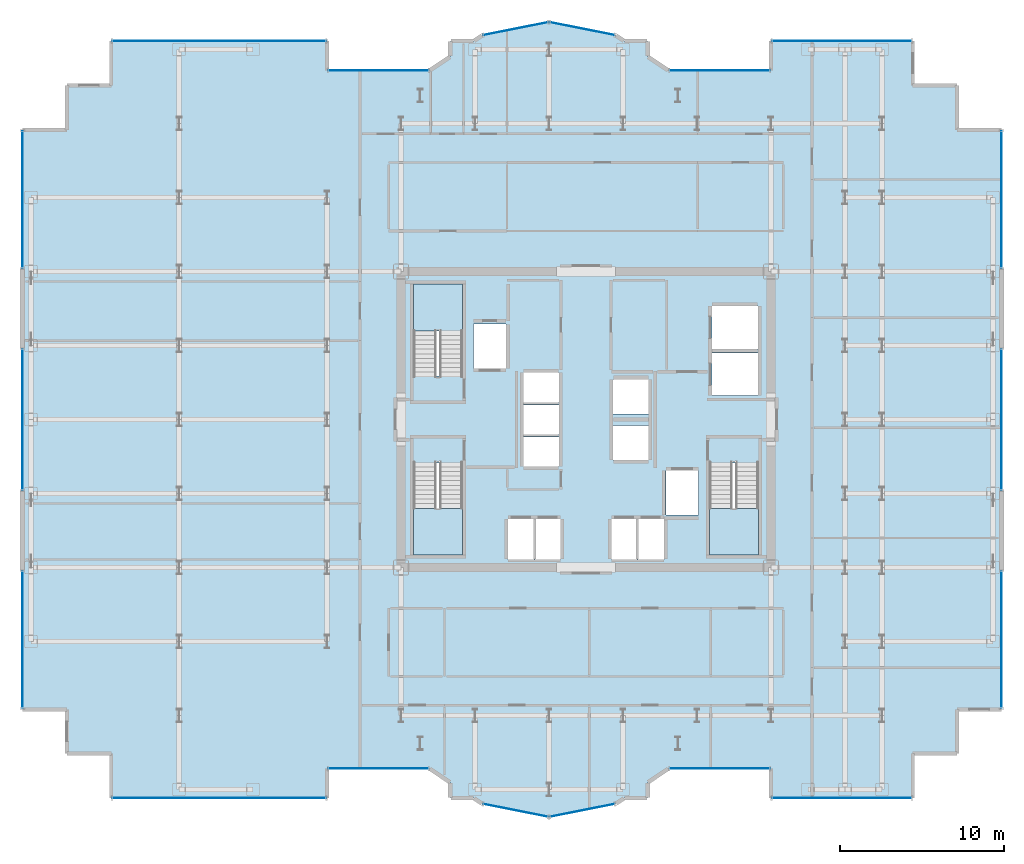
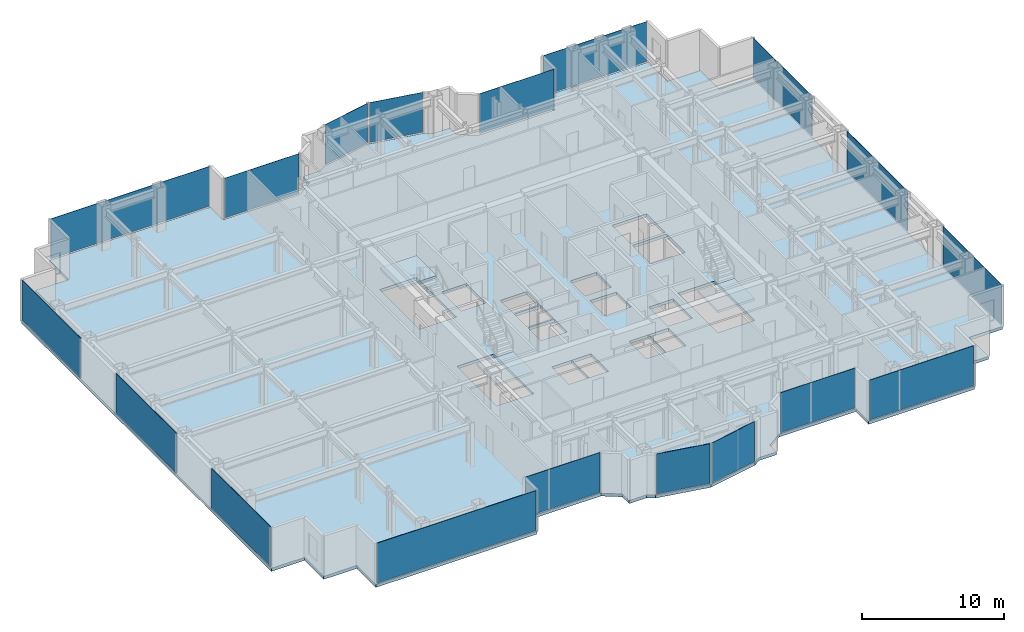
# One storey, part 19 of 26: 18 plates, 4 slabs, 21 elements without a shape of their own.
"""IFC4 building model written with IfcOpenShell, lengths in metres."""

import ifcopenshell
import ifcopenshell.guid

model = None  # the IFC model being written
_history = None  # IfcOwnerHistory: only IFC2X3 demands one
_inside = {}  # id of a spatial element -> (the spatial element, [elements in it])
_under = {}  # id of a project, library or spatial element -> (it, [spatial elements below it])
_declared = {}  # id of a project -> (the project, [libraries it declares])
_typed = {}  # id of a type object -> (the type object, [elements of that type])
_made_of = {}  # id of a material, layer set ... -> (it, [elements and type objects made of it])


def new_model(schema):
    """Start an empty IFC model of exactly this schema.

    Asked for "IFC4X3", IfcOpenShell would pick the latest addendum, in which some entities
    have other attributes; the version numbers below select the first issue.
    IFC2X3 requires an IfcOwnerHistory on every rooted entity: one is made here for all.
    """
    global model, _history
    if schema == "IFC4X3":
        model = ifcopenshell.file(schema_version=(4, 3, 0, 0))
    else:
        model = ifcopenshell.file(schema=schema)
    _inside.clear()
    _under.clear()
    _declared.clear()
    _typed.clear()
    _made_of.clear()
    _history = None
    if model.schema == "IFC2X3":
        org = make("IfcOrganization", Name="unknown")
        user = make(
            "IfcPersonAndOrganization",
            ThePerson=make("IfcPerson", FamilyName="unknown"),
            TheOrganization=org,
        )
        app = make(
            "IfcApplication",
            ApplicationDeveloper=org,
            Version="unknown",
            ApplicationFullName="unknown",
            ApplicationIdentifier="unknown",
        )
        _history = make(
            "IfcOwnerHistory",
            OwningUser=user,
            OwningApplication=app,
            ChangeAction="ADDED",
            CreationDate=0,
        )
    return model


def make(cls, **values):
    """One entity of the class cls with the attributes given. An attribute that is None is left unset."""
    return model.create_entity(
        cls, **{name: value for name, value in values.items() if value is not None}
    )


def rooted(cls, **values):
    """An entity with a GlobalId (a new one), such as an element, a storey or a relation."""
    return make(cls, GlobalId=ifcopenshell.guid.new(), OwnerHistory=_history, **values)


def si_unit(unit_type, name, prefix=None):
    """IfcSIUnit, for example si_unit("LENGTHUNIT", "METRE", prefix="MILLI")."""
    return make("IfcSIUnit", UnitType=unit_type, Prefix=prefix, Name=name)


def assignment(units):
    """IfcUnitAssignment: the units of a project."""
    return None if units is None else make("IfcUnitAssignment", Units=units)


def point(xyz):
    """IfcCartesianPoint."""
    return None if xyz is None else make("IfcCartesianPoint", Coordinates=xyz)


def direction(xyz):
    """IfcDirection."""
    return None if xyz is None else make("IfcDirection", DirectionRatios=xyz)


def frame(location, z_axis=None, x_axis=None):
    """IfcAxis2Placement3D, a coordinate frame: its origin and axes. An axis left out is left unset."""
    return make(
        "IfcAxis2Placement3D",
        Location=point(location),
        Axis=direction(z_axis),
        RefDirection=direction(x_axis),
    )


def frame_2d(location, x_axis=None):
    """IfcAxis2Placement2D, a coordinate frame in the plane: its origin and x axis."""
    return make(
        "IfcAxis2Placement2D", Location=point(location), RefDirection=direction(x_axis)
    )


def origin():
    """The frame at (0, 0, 0) with its axes left unset."""
    return frame((0.0, 0.0, 0.0))


def origin_2d():
    """The frame at (0, 0) in the plane with its x axis left unset."""
    return frame_2d((0.0, 0.0))


def place(relative_to, where):
    """IfcLocalPlacement: puts the frame where relative to a parent placement (None: the world)."""
    return make(
        "IfcLocalPlacement", PlacementRelTo=relative_to, RelativePlacement=where
    )


def context(
    kind, dimensions, precision=None, world=None, true_north=None, identifier=None
):
    """IfcGeometricRepresentationContext, for example the 3D "Model" context."""
    return make(
        "IfcGeometricRepresentationContext",
        ContextIdentifier=identifier,
        ContextType=kind,
        CoordinateSpaceDimension=dimensions,
        Precision=precision,
        WorldCoordinateSystem=world,
        TrueNorth=true_north,
    )


def subcontext(parent, identifier, kind, view, scale=None):
    """IfcGeometricRepresentationSubContext, for example "Body" below "Model"."""
    return make(
        "IfcGeometricRepresentationSubContext",
        ContextIdentifier=identifier,
        ContextType=kind,
        ParentContext=parent,
        TargetScale=scale,
        TargetView=view,
    )


def project(units=None, contexts=None):
    """IfcProject with its units and contexts."""
    return rooted(
        "IfcProject",
        Name="project",
        RepresentationContexts=contexts,
        UnitsInContext=assignment(units),
    )


def spatial(cls, under=None, at=None, **own):
    """A site, building, storey or space (cls), placed at a placement, below another one or the project."""
    s = rooted(cls, ObjectPlacement=at, **own)
    if under is not None:
        _under.setdefault(under.id(), (under, []))[1].append(s)
    return s


def polyline(points):
    """IfcPolyline through the points."""
    return make("IfcPolyline", Points=[point(p) for p in points])


def profile(cls, at=None, kind="AREA", **sizes):
    """A parametric profile (cls). Its sizes go by their IFC names, for example OverallWidth=200.0."""
    return make(cls, ProfileType=kind, Position=at, **sizes)


def rectangle(**sizes):
    """IfcRectangleProfileDef."""
    return profile("IfcRectangleProfileDef", **sizes)


def outline(outer, holes=None, kind="AREA"):
    """IfcArbitraryClosedProfileDef: a profile drawn as a closed curve; with holes, ...WithVoids."""
    if holes is None:
        return make("IfcArbitraryClosedProfileDef", ProfileType=kind, OuterCurve=outer)
    return make(
        "IfcArbitraryProfileDefWithVoids",
        ProfileType=kind,
        OuterCurve=outer,
        InnerCurves=holes,
    )


def extrude(swept, where, along, depth):
    """IfcExtrudedAreaSolid: the profile swept, set in the frame where, extruded along a direction by depth."""
    return make(
        "IfcExtrudedAreaSolid",
        SweptArea=swept,
        Position=where,
        ExtrudedDirection=direction(along),
        Depth=depth,
    )


def shape(context_of_items, identifier, shape_type, items):
    """IfcShapeRepresentation: the items that make up one representation, for example the "Body"."""
    return make(
        "IfcShapeRepresentation",
        ContextOfItems=context_of_items,
        RepresentationIdentifier=identifier,
        RepresentationType=shape_type,
        Items=items,
    )


def source(mapping_origin, context_of_items, identifier, shape_type, items):
    """IfcRepresentationMap: a shape defined once, which mapped items show again and again."""
    return make(
        "IfcRepresentationMap",
        MappingOrigin=mapping_origin,
        MappedRepresentation=shape(context_of_items, identifier, shape_type, items),
    )


def transform(
    local_origin,
    x_axis=None,
    y_axis=None,
    z_axis=None,
    scale=None,
    scale2=None,
    scale3=None,
    uniform=True,
):
    """IfcCartesianTransformationOperator3D, or its non-uniform kind. x_axis, y_axis, z_axis: its Axis1, 2, 3."""
    if uniform:
        return make(
            "IfcCartesianTransformationOperator3D",
            Axis1=direction(x_axis),
            Axis2=direction(y_axis),
            LocalOrigin=point(local_origin),
            Scale=scale,
            Axis3=direction(z_axis),
        )
    return make(
        "IfcCartesianTransformationOperator3DnonUniform",
        Axis1=direction(x_axis),
        Axis2=direction(y_axis),
        LocalOrigin=point(local_origin),
        Scale=scale,
        Axis3=direction(z_axis),
        Scale2=scale2,
        Scale3=scale3,
    )


def mapped(mapping_source, mapping_target):
    """IfcMappedItem: shows the shape of a source again, moved by a transform."""
    return make(
        "IfcMappedItem", MappingSource=mapping_source, MappingTarget=mapping_target
    )


def material(Name=None, Category=None):
    """IfcMaterial."""
    return make("IfcMaterial", Name=Name, Category=Category)


def layer(
    of_material, thickness, ventilated=None, Name=None, Category=None, Priority=None
):
    """IfcMaterialLayer: one layer of a wall or slab, of a material (None: an air gap)."""
    return make(
        "IfcMaterialLayer",
        Material=of_material,
        LayerThickness=thickness,
        IsVentilated=ventilated,
        Name=Name,
        Category=Category,
        Priority=Priority,
    )


def layer_set(layers, Name=None):
    """IfcMaterialLayerSet."""
    return make("IfcMaterialLayerSet", MaterialLayers=layers, LayerSetName=Name)


def made_of(thing, what):
    """Note that an element or type object is made of a material, layer set ...; save() writes the relation."""
    if what is not None:
        _made_of.setdefault(what.id(), (what, []))[1].append(thing)
    return thing


def type_object(cls, material=None, **own):
    """A type object (cls), such as IfcWallType, which elements share."""
    return made_of(rooted(cls, **own), material)


def element(
    cls,
    number,
    at=None,
    inside=None,
    cuts=None,
    type_object=None,
    material=None,
    context=None,
    identifier="Body",
    shape_type=None,
    held_by="IfcProductDefinitionShape",
    body=None,
    shapes=None,
    **own,
):
    """One element of the class cls, such as IfcWall. Its Tag is "e" and its number.

    at: its placement. inside: the storey or other place that contains it. cuts: it is an
    opening in that element (IfcRelVoidsElement). A single representation is given by context,
    identifier, shape_type and body (its items); several are given by shapes. held_by: the class
    of the entity that holds the representations. save() writes the other relations.
    """
    e = rooted(cls, Tag="e%d" % number, ObjectPlacement=at, **own)
    if body is not None:
        shapes = [shape(context, identifier, shape_type, body)]
    if shapes is not None:
        e.Representation = make(held_by, Representations=shapes)
    if inside is not None:
        _inside.setdefault(inside.id(), (inside, []))[1].append(e)
    if cuts is not None:
        rooted(
            "IfcRelVoidsElement", RelatingBuildingElement=cuts, RelatedOpeningElement=e
        )
    if type_object is not None:
        _typed.setdefault(type_object.id(), (type_object, []))[1].append(e)
    return made_of(e, material)


def aggregate(whole, parts):
    """IfcRelAggregates: a whole, such as a stair, and the parts it consists of."""
    return rooted("IfcRelAggregates", RelatingObject=whole, RelatedObjects=parts)


def save(model, path):
    """Write the relations noted so far, then the file.

    IfcRelAggregates (storeys below a building ...), IfcRelContainedInSpatialStructure (elements
    in a storey), IfcRelDefinesByType, IfcRelAssociatesMaterial and IfcRelDeclares: one each for
    every whole, place, type object, material and project.
    """
    for whole, parts in _under.values():
        aggregate(whole, parts)
    for where, things in _inside.values():
        rooted(
            "IfcRelContainedInSpatialStructure",
            RelatedElements=things,
            RelatingStructure=where,
        )
    for kind, things in _typed.values():
        rooted("IfcRelDefinesByType", RelatedObjects=things, RelatingType=kind)
    for what, things in _made_of.values():
        rooted("IfcRelAssociatesMaterial", RelatedObjects=things, RelatingMaterial=what)
    for by, libraries in _declared.values():
        rooted("IfcRelDeclares", RelatingContext=by, RelatedDefinitions=libraries)
    model.write(path)


model = new_model("IFC4")

# Units and contexts
model_context = context("Model", 3, precision=1e-05, world=origin(), true_north=direction((0.0, 1.0)))
body_context = subcontext(model_context, "Body", "Model", "MODEL_VIEW")
ifc_project = project(units=[si_unit("LENGTHUNIT", "METRE"), si_unit("AREAUNIT", "SQUARE_METRE"), si_unit("VOLUMEUNIT", "CUBIC_METRE"), si_unit("PLANEANGLEUNIT", "RADIAN"), si_unit("MASSUNIT", "GRAM", prefix="KILO")], contexts=[model_context])

# Site, building, storey
site_placement = place(None, origin())
site = spatial("IfcSite", under=ifc_project, at=site_placement, CompositionType="ELEMENT")
building_placement = place(site_placement, origin())
building = spatial("IfcBuilding", under=site, at=building_placement, Name="Nefas-Gora Pilgrimage Tower", CompositionType="ELEMENT")
storey_placement = place(building_placement, frame((0.0, 0.0, 160.199951171875)))
storey = spatial("IfcBuildingStorey", under=building, at=storey_placement, Name="L39", CompositionType="ELEMENT", Elevation=160.199951171875)

# Slab
ifc_material_1 = material(Name="Concrete C40/50", Category="concrete")
ifc_layer_1 = layer(ifc_material_1, 0.25)
ifc_layer_set_1 = layer_set([ifc_layer_1], Name="Concrete C40/50")
slab_type_1 = type_object("IfcSlabType", Name="SLB-TWR-250", PredefinedType="FLOOR", material=ifc_layer_set_1)
slab_1_placement = place(storey_placement, frame((0.0, 0.0, -0.25)))
element("IfcSlab", 1, at=slab_1_placement, inside=storey, type_object=slab_type_1, Name="L39 Structural Floor Slab", PredefinedType="FLOOR", context=body_context, shape_type="SweptSolid", body=[
    extrude(outline(polyline([(5.01806640625, -21.219970703125), (11.25, -21.219970703125), (11.25, -23.02001953125), (19.8701171875, -23.02001953125), (19.8701171875, -20.320068359375), (22.570068359375, -20.320068359375), (22.570068359375, -17.6201171875), (25.27001953125, -17.6201171875), (25.27001953125, 17.6201171875), (22.570068359375, 17.6201171875), (22.570068359375, 20.320068359375), (19.8701171875, 20.320068359375), (19.8701171875, 23.02001953125), (11.25, 23.02001953125), (11.25, 21.219970703125), (5.01806640625, 21.219970703125), (3.75, 22.0673828125), (3.75, 23.02001953125), (2.32421875, 23.02001953125), (1.807373046875, 23.365234375), (-2.25, 24.17236328125), (-6.307373046875, 23.365234375), (-6.82421875, 23.02001953125), (-8.25, 23.02001953125), (-8.25, 22.0673828125), (-9.51806640625, 21.219970703125), (-15.75, 21.219970703125), (-15.75, 23.02001953125), (-28.8701171875, 23.02001953125), (-28.8701171875, 20.320068359375), (-31.570068359375, 20.320068359375), (-31.570068359375, 17.6201171875), (-34.27001953125, 17.6201171875), (-34.27001953125, -17.6201171875), (-31.570068359375, -17.6201171875), (-31.570068359375, -20.320068359375), (-28.8701171875, -20.320068359375), (-28.8701171875, -23.02001953125), (-15.75, -23.02001953125), (-15.75, -21.219970703125), (-9.51806640625, -21.219970703125), (-8.25, -22.0673828125), (-8.25, -23.02001953125), (-6.82421875, -23.02001953125), (-6.307373046875, -23.365234375), (-2.25, -24.17236328125), (1.807373046875, -23.365234375), (2.32421875, -23.02001953125), (3.75, -23.02001953125), (3.75, -22.0673828125), (5.01806640625, -21.219970703125)]), holes=[polyline([(-10.5, 2.639892578125), (-10.5, 8.25), (-7.5, 8.25), (-7.5, 2.639892578125), (-10.5, 2.639892578125)]), polyline([(10.5, -2.639892578125), (10.5, -8.25), (7.5, -8.25), (7.5, -2.639892578125), (10.5, -2.639892578125)]), polyline([(-7.5, -2.639892578125), (-7.5, -8.25), (-10.5, -8.25), (-10.5, -2.639892578125), (-7.5, -2.639892578125)]), polyline([(-6.85009765625, 5.800048828125), (-4.85009765625, 5.800048828125), (-4.85009765625, 3.10009765625), (-6.85009765625, 3.10009765625), (-6.85009765625, 5.800048828125)]), polyline([(4.85009765625, -3.10009765625), (6.85009765625, -3.10009765625), (6.85009765625, -5.800048828125), (4.85009765625, -5.800048828125), (4.85009765625, -3.10009765625)]), polyline([(7.64990234375, 4.050048828125), (10.449951171875, 4.050048828125), (10.449951171875, 1.449951171875), (7.64990234375, 1.449951171875), (7.64990234375, 4.050048828125)]), polyline([(7.64990234375, 6.89990234375), (10.449951171875, 6.89990234375), (10.449951171875, 4.300048828125), (7.64990234375, 4.300048828125), (7.64990234375, 6.89990234375)]), polyline([(-4.75, -6.050048828125), (-3.14990234375, -6.050048828125), (-3.14990234375, -8.5), (-4.75, -8.5), (-4.75, -6.050048828125)]), polyline([(-3.10009765625, -6.050048828125), (-1.550048828125, -6.050048828125), (-1.550048828125, -8.5), (-3.10009765625, -8.5), (-3.10009765625, -6.050048828125)]), polyline([(1.550048828125, -6.050048828125), (3.10009765625, -6.050048828125), (3.10009765625, -8.5), (1.550048828125, -8.5), (1.550048828125, -6.050048828125)]), polyline([(3.14990234375, -6.050048828125), (4.75, -6.050048828125), (4.75, -8.5), (3.14990234375, -8.5), (3.14990234375, -6.050048828125)]), polyline([(-3.800048828125, -1.050048828125), (-1.64990234375, -1.050048828125), (-1.64990234375, -2.85009765625), (-3.800048828125, -2.85009765625), (-3.800048828125, -1.050048828125)]), polyline([(-3.800048828125, 0.89990234375), (-1.64990234375, 0.89990234375), (-1.64990234375, -0.89990234375), (-3.800048828125, -0.89990234375), (-3.800048828125, 0.89990234375)]), polyline([(-3.800048828125, 2.85009765625), (-1.64990234375, 2.85009765625), (-1.64990234375, 1.050048828125), (-3.800048828125, 1.050048828125), (-3.800048828125, 2.85009765625)]), polyline([(1.64990234375, -0.35009765625), (3.800048828125, -0.35009765625), (3.800048828125, -2.449951171875), (1.64990234375, -2.449951171875), (1.64990234375, -0.35009765625)]), polyline([(1.64990234375, 2.449951171875), (3.800048828125, 2.449951171875), (3.800048828125, 0.35009765625), (1.64990234375, 0.35009765625), (1.64990234375, 2.449951171875)])]), origin(), (0.0, 0.0, 1.0), 0.25),
])

# Stair, slab
ifc_material_2 = material(Name="Concrete C45/55", Category="concrete")
stair_type = type_object("IfcStairType", Name="STR-1400-R1727", PredefinedType="HALF_TURN_STAIR", material=ifc_material_2)
stair_1_placement = place(storey_placement, origin())
stair_1 = element("IfcStair", 2, at=stair_1_placement, inside=storey, type_object=stair_type, Name="L39 Pressurised Tower Exit Stair ST-01", PredefinedType="HALF_TURN_STAIR")
ifc_layer_2 = layer(ifc_material_1, 0.199951171875)
ifc_layer_set_2 = layer_set([ifc_layer_2], Name="Concrete C40/50")
slab_type_2 = type_object("IfcSlabType", Name="STR-LAND-200", PredefinedType="LANDING", material=ifc_layer_set_2)
slab_2_placement = place(storey_placement, frame((0.0, 0.0, 1.699951171875)))
slab_2 = element("IfcSlab", 3, at=slab_2_placement, type_object=slab_type_2, Name="ST-01 landing 1", PredefinedType="LANDING", context=body_context, shape_type="SweptSolid", body=[
    extrude(outline(polyline([(-7.5, 5.39990234375), (-7.5, 8.25), (-10.5, 8.25), (-10.5, 5.39990234375), (-7.5, 5.39990234375)])), origin(), (0.0, 0.0, 1.0), 0.2001953125),
])
aggregate(stair_1, [slab_2])

stair_2_placement = place(storey_placement, origin())
stair_2 = element("IfcStair", 4, at=stair_2_placement, inside=storey, type_object=stair_type, Name="L39 Pressurised Tower Exit Stair ST-02", PredefinedType="HALF_TURN_STAIR")
slab_3_placement = place(storey_placement, frame((0.0, 0.0, 1.699951171875)))
slab_3 = element("IfcSlab", 5, at=slab_3_placement, type_object=slab_type_2, Name="ST-02 landing 1", PredefinedType="LANDING", context=body_context, shape_type="SweptSolid", body=[
    extrude(outline(polyline([(7.5, -5.39990234375), (7.5, -8.25), (10.5, -8.25), (10.5, -5.39990234375), (7.5, -5.39990234375)])), origin(), (0.0, 0.0, 1.0), 0.2001953125),
])
aggregate(stair_2, [slab_3])

stair_3_placement = place(storey_placement, origin())
stair_3 = element("IfcStair", 6, at=stair_3_placement, inside=storey, type_object=stair_type, Name="L39 Pressurised Tower Exit Stair ST-03", PredefinedType="HALF_TURN_STAIR")
slab_4_placement = place(storey_placement, frame((0.0, 0.0, 1.699951171875)))
slab_4 = element("IfcSlab", 7, at=slab_4_placement, type_object=slab_type_2, Name="ST-03 landing 1", PredefinedType="LANDING", context=body_context, shape_type="SweptSolid", body=[
    extrude(outline(polyline([(-10.5, -5.39990234375), (-10.5, -8.25), (-7.5, -8.25), (-7.5, -5.39990234375), (-10.5, -5.39990234375)])), origin(), (0.0, 0.0, 1.0), 0.2001953125),
])
aggregate(stair_3, [slab_4])

# Curtain wall, plate
ifc_material_3 = material(Name="Dark ceramic-fritted solar-control aluminium-glass curtain wall", Category="aluminium")
ifc_layer_3 = layer(ifc_material_3, 0.219970703125)
ifc_layer_set_3 = layer_set([ifc_layer_3], Name="Dark ceramic-fritted solar-control aluminium-glass curtain wall")
curtain_wall_type_1 = type_object("IfcCurtainWallType", Name="CW-SYS-5", PredefinedType="NOTDEFINED", material=ifc_layer_set_3)
curtain_wall_1_placement = place(storey_placement, origin())
curtain_wall_1 = element("IfcCurtainWall", 8, at=curtain_wall_1_placement, inside=storey, type_object=curtain_wall_type_1, Name="L39 Unitised Curtain Wall CW5", PredefinedType="NOTDEFINED")
ifc_material_4 = material(Name="Dark ceramic-printed low-e insulated glass", Category="glass")
ifc_layer_4 = layer(ifc_material_4, 0.028076171875)
ifc_layer_set_4 = layer_set([ifc_layer_4], Name="Dark ceramic-printed low-e insulated glass")
plate_type_1 = type_object("IfcPlateType", Name="CWP-PNL-5", PredefinedType="CURTAIN_PANEL", material=ifc_layer_set_4)
shared_shape_1 = source(origin(), body_context, "Body", "SweptSolid", [
    extrude(rectangle(XDim=6.052001953125, YDim=0.028076171875, at=origin_2d()), origin(), (0.0, 0.0, 1.0), 3.43994140625),
])
plate_1_placement = place(storey_placement, frame((8.134033203125, -21.219970703125, 0.10009765625), z_axis=(0.0, 0.0, 1.0), x_axis=(1.0, 0.0, 0.0)))
plate_1 = element("IfcPlate", 9, at=plate_1_placement, type_object=plate_type_1, Name="CW5 Ceramic-Fritted Glazing Panel 1", PredefinedType="CURTAIN_PANEL", context=body_context, shape_type="MappedRepresentation", body=[
    mapped(shared_shape_1, transform((0.0, 0.0, 0.0), x_axis=(1.0, 0.0, 0.0), y_axis=(0.0, 1.0, 0.0), z_axis=(0.0, 0.0, 1.0), scale=1.0)),
])
aggregate(curtain_wall_1, [plate_1])

curtain_wall_2_placement = place(storey_placement, origin())
curtain_wall_2 = element("IfcCurtainWall", 10, at=curtain_wall_2_placement, inside=storey, type_object=curtain_wall_type_1, Name="L39 Unitised Curtain Wall CW5", PredefinedType="NOTDEFINED")
plate_2_placement = place(storey_placement, frame((8.134033203125, 21.219970703125, 0.10009765625), z_axis=(0.0, 0.0, 1.0), x_axis=(-1.0, 0.0, 0.0)))
plate_2 = element("IfcPlate", 11, at=plate_2_placement, type_object=plate_type_1, Name="CW5 Ceramic-Fritted Glazing Panel 1", PredefinedType="CURTAIN_PANEL", context=body_context, shape_type="MappedRepresentation", body=[
    mapped(shared_shape_1, transform((0.0, 0.0, 0.0), x_axis=(1.0, 0.0, 0.0), y_axis=(0.0, 1.0, 0.0), z_axis=(0.0, 0.0, 1.0), scale=1.0)),
])
aggregate(curtain_wall_2, [plate_2])

curtain_wall_3_placement = place(storey_placement, origin())
curtain_wall_3 = element("IfcCurtainWall", 12, at=curtain_wall_3_placement, inside=storey, type_object=curtain_wall_type_1, Name="L39 Unitised Curtain Wall CW5", PredefinedType="NOTDEFINED")
plate_3_placement = place(storey_placement, frame((-12.634033203125, 21.219970703125, 0.10009765625), z_axis=(0.0, 0.0, 1.0), x_axis=(-1.0, 0.0, 0.0)))
plate_3 = element("IfcPlate", 13, at=plate_3_placement, type_object=plate_type_1, Name="CW5 Ceramic-Fritted Glazing Panel 1", PredefinedType="CURTAIN_PANEL", context=body_context, shape_type="MappedRepresentation", body=[
    mapped(shared_shape_1, transform((0.0, 0.0, 0.0), x_axis=(1.0, 0.0, 0.0), y_axis=(0.0, 1.0, 0.0), z_axis=(0.0, 0.0, 1.0), scale=1.0)),
])
aggregate(curtain_wall_3, [plate_3])

curtain_wall_4_placement = place(storey_placement, origin())
curtain_wall_4 = element("IfcCurtainWall", 14, at=curtain_wall_4_placement, inside=storey, type_object=curtain_wall_type_1, Name="L39 Unitised Curtain Wall CW5", PredefinedType="NOTDEFINED")
plate_4_placement = place(storey_placement, frame((-12.634033203125, -21.219970703125, 0.10009765625), z_axis=(0.0, 0.0, 1.0), x_axis=(1.0, 0.0, 0.0)))
plate_4 = element("IfcPlate", 15, at=plate_4_placement, type_object=plate_type_1, Name="CW5 Ceramic-Fritted Glazing Panel 1", PredefinedType="CURTAIN_PANEL", context=body_context, shape_type="MappedRepresentation", body=[
    mapped(shared_shape_1, transform((0.0, 0.0, 0.0), x_axis=(1.0, 0.0, 0.0), y_axis=(0.0, 1.0, 0.0), z_axis=(0.0, 0.0, 1.0), scale=1.0)),
])
aggregate(curtain_wall_4, [plate_4])

curtain_wall_5_placement = place(storey_placement, origin())
curtain_wall_5 = element("IfcCurtainWall", 16, at=curtain_wall_5_placement, inside=storey, type_object=curtain_wall_type_1, Name="L39 Unitised Curtain Wall CW5", PredefinedType="NOTDEFINED")
shared_shape_2 = source(origin(), body_context, "Body", "SweptSolid", [
    extrude(rectangle(XDim=3.956787109375, YDim=0.028076171875, at=origin_2d()), origin(), (0.0, 0.0, 1.0), 3.43994140625),
])
plate_5_placement = place(storey_placement, frame((-0.22119140625, 23.768798828125, 0.10009765625), z_axis=(0.0, 0.0, 1.0), x_axis=(-0.980782896852, 0.195102304554, 0.0)))
plate_5 = element("IfcPlate", 17, at=plate_5_placement, type_object=plate_type_1, Name="CW5 Ceramic-Fritted Glazing Panel 1", PredefinedType="CURTAIN_PANEL", context=body_context, shape_type="MappedRepresentation", body=[
    mapped(shared_shape_2, transform((0.0, 0.0, 0.0), x_axis=(1.0, 0.0, 0.0), y_axis=(0.0, 1.0, 0.0), z_axis=(0.0, 0.0, 1.0), scale=1.0)),
])
aggregate(curtain_wall_5, [plate_5])

curtain_wall_6_placement = place(storey_placement, origin())
curtain_wall_6 = element("IfcCurtainWall", 18, at=curtain_wall_6_placement, inside=storey, type_object=curtain_wall_type_1, Name="L39 Unitised Curtain Wall CW5", PredefinedType="NOTDEFINED")
plate_6_placement = place(storey_placement, frame((-4.278564453125, 23.768798828125, 0.10009765625), z_axis=(0.0, 0.0, 1.0), x_axis=(-0.980782896852, -0.195102304554, 0.0)))
plate_6 = element("IfcPlate", 19, at=plate_6_placement, type_object=plate_type_1, Name="CW5 Ceramic-Fritted Glazing Panel 1", PredefinedType="CURTAIN_PANEL", context=body_context, shape_type="MappedRepresentation", body=[
    mapped(shared_shape_2, transform((0.0, 0.0, 0.0), x_axis=(1.0, 0.0, 0.0), y_axis=(0.0, 1.0, 0.0), z_axis=(0.0, 0.0, 1.0), scale=1.0)),
])
aggregate(curtain_wall_6, [plate_6])

curtain_wall_7_placement = place(storey_placement, origin())
curtain_wall_7 = element("IfcCurtainWall", 20, at=curtain_wall_7_placement, inside=storey, type_object=curtain_wall_type_1, Name="L39 Unitised Curtain Wall CW5", PredefinedType="NOTDEFINED")
plate_7_placement = place(storey_placement, frame((-4.278564453125, -23.768798828125, 0.10009765625), z_axis=(0.0, 0.0, 1.0), x_axis=(0.980782896852, -0.195102304554, 0.0)))
plate_7 = element("IfcPlate", 21, at=plate_7_placement, type_object=plate_type_1, Name="CW5 Ceramic-Fritted Glazing Panel 1", PredefinedType="CURTAIN_PANEL", context=body_context, shape_type="MappedRepresentation", body=[
    mapped(shared_shape_2, transform((0.0, 0.0, 0.0), x_axis=(1.0, 0.0, 0.0), y_axis=(0.0, 1.0, 0.0), z_axis=(0.0, 0.0, 1.0), scale=1.0)),
])
aggregate(curtain_wall_7, [plate_7])

curtain_wall_8_placement = place(storey_placement, origin())
curtain_wall_8 = element("IfcCurtainWall", 22, at=curtain_wall_8_placement, inside=storey, type_object=curtain_wall_type_1, Name="L39 Unitised Curtain Wall CW5", PredefinedType="NOTDEFINED")
plate_8_placement = place(storey_placement, frame((-0.221435546875, -23.768798828125, 0.10009765625), z_axis=(0.0, 0.0, 1.0), x_axis=(0.980782896852, 0.195102304554, 0.0)))
plate_8 = element("IfcPlate", 23, at=plate_8_placement, type_object=plate_type_1, Name="CW5 Ceramic-Fritted Glazing Panel 1", PredefinedType="CURTAIN_PANEL", context=body_context, shape_type="MappedRepresentation", body=[
    mapped(shared_shape_2, transform((0.0, 0.0, 0.0), x_axis=(1.0, 0.0, 0.0), y_axis=(0.0, 1.0, 0.0), z_axis=(0.0, 0.0, 1.0), scale=1.0)),
])
aggregate(curtain_wall_8, [plate_8])

ifc_layer_5 = layer(ifc_material_3, 0.219970703125)
ifc_layer_set_5 = layer_set([ifc_layer_5], Name="Dark ceramic-fritted solar-control aluminium-glass curtain wall")
curtain_wall_type_2 = type_object("IfcCurtainWallType", Name="CW-SYS-3", PredefinedType="NOTDEFINED", material=ifc_layer_set_5)
curtain_wall_9_placement = place(storey_placement, origin())
curtain_wall_9 = element("IfcCurtainWall", 24, at=curtain_wall_9_placement, inside=storey, type_object=curtain_wall_type_2, Name="L39 Unitised Curtain Wall CW3", PredefinedType="NOTDEFINED")
ifc_layer_6 = layer(ifc_material_4, 0.033935546875)
ifc_layer_set_6 = layer_set([ifc_layer_6], Name="Dark ceramic-printed low-e insulated glass")
plate_type_2 = type_object("IfcPlateType", Name="CWP-PNL-3", PredefinedType="CURTAIN_PANEL", material=ifc_layer_set_6)
shared_shape_3 = source(origin(), body_context, "Body", "SweptSolid", [
    extrude(rectangle(XDim=8.43994140625, YDim=0.033935546875, at=origin_2d()), origin(), (0.0, 0.0, 1.0), 3.43994140625),
])
plate_9_placement = place(storey_placement, frame((15.56005859375, -23.02001953125, 0.10009765625), z_axis=(0.0, 0.0, 1.0), x_axis=(1.0, 0.0, 0.0)))
plate_9 = element("IfcPlate", 25, at=plate_9_placement, type_object=plate_type_2, Name="CW3 Ceramic-Fritted Glazing Panel 1", PredefinedType="CURTAIN_PANEL", context=body_context, shape_type="MappedRepresentation", body=[
    mapped(shared_shape_3, transform((0.0, 0.0, 0.0), x_axis=(1.0, 0.0, 0.0), y_axis=(0.0, 1.0, 0.0), z_axis=(0.0, 0.0, 1.0), scale=1.0)),
])
aggregate(curtain_wall_9, [plate_9])

curtain_wall_10_placement = place(storey_placement, origin())
curtain_wall_10 = element("IfcCurtainWall", 26, at=curtain_wall_10_placement, inside=storey, type_object=curtain_wall_type_2, Name="L39 Unitised Curtain Wall CW3", PredefinedType="NOTDEFINED")
plate_10_placement = place(storey_placement, frame((15.56005859375, 23.02001953125, 0.10009765625), z_axis=(0.0, 0.0, 1.0), x_axis=(-1.0, 0.0, 0.0)))
plate_10 = element("IfcPlate", 27, at=plate_10_placement, type_object=plate_type_2, Name="CW3 Ceramic-Fritted Glazing Panel 1", PredefinedType="CURTAIN_PANEL", context=body_context, shape_type="MappedRepresentation", body=[
    mapped(shared_shape_3, transform((0.0, 0.0, 0.0), x_axis=(1.0, 0.0, 0.0), y_axis=(0.0, 1.0, 0.0), z_axis=(0.0, 0.0, 1.0), scale=1.0)),
])
aggregate(curtain_wall_10, [plate_10])

curtain_wall_11_placement = place(storey_placement, origin())
curtain_wall_11 = element("IfcCurtainWall", 28, at=curtain_wall_11_placement, inside=storey, type_object=curtain_wall_type_2, Name="L39 Unitised Curtain Wall CW3", PredefinedType="NOTDEFINED")
shared_shape_4 = source(origin(), body_context, "Body", "SweptSolid", [
    extrude(rectangle(XDim=8.2900390625, YDim=0.033935546875, at=origin_2d()), origin(), (0.0, 0.0, 1.0), 3.43994140625),
])
plate_11_placement = place(storey_placement, frame((25.27001953125, -13.385009765625, 0.10009765625), z_axis=(0.0, 0.0, 1.0), x_axis=(0.0, 1.0, 0.0)))
plate_11 = element("IfcPlate", 29, at=plate_11_placement, type_object=plate_type_2, Name="CW3 Ceramic-Fritted Glazing Panel 1", PredefinedType="CURTAIN_PANEL", context=body_context, shape_type="MappedRepresentation", body=[
    mapped(shared_shape_4, transform((0.0, 0.0, 0.0), x_axis=(1.0, 0.0, 0.0), y_axis=(0.0, 1.0, 0.0), z_axis=(0.0, 0.0, 1.0), scale=1.0)),
])
aggregate(curtain_wall_11, [plate_11])

curtain_wall_12_placement = place(storey_placement, origin())
curtain_wall_12 = element("IfcCurtainWall", 30, at=curtain_wall_12_placement, inside=storey, type_object=curtain_wall_type_2, Name="L39 Unitised Curtain Wall CW3", PredefinedType="NOTDEFINED")
plate_12_placement = place(storey_placement, frame((25.27001953125, 13.385009765625, 0.10009765625), z_axis=(0.0, 0.0, 1.0), x_axis=(0.0, 1.0, 0.0)))
plate_12 = element("IfcPlate", 31, at=plate_12_placement, type_object=plate_type_2, Name="CW3 Ceramic-Fritted Glazing Panel 1", PredefinedType="CURTAIN_PANEL", context=body_context, shape_type="MappedRepresentation", body=[
    mapped(shared_shape_4, transform((0.0, 0.0, 0.0), x_axis=(1.0, 0.0, 0.0), y_axis=(0.0, 1.0, 0.0), z_axis=(0.0, 0.0, 1.0), scale=1.0)),
])
aggregate(curtain_wall_12, [plate_12])

curtain_wall_13_placement = place(storey_placement, origin())
curtain_wall_13 = element("IfcCurtainWall", 32, at=curtain_wall_13_placement, inside=storey, type_object=curtain_wall_type_2, Name="L39 Unitised Curtain Wall CW3", PredefinedType="NOTDEFINED")
plate_13_placement = place(storey_placement, frame((-34.27001953125, 13.385009765625, 0.10009765625), z_axis=(0.0, 0.0, 1.0), x_axis=(0.0, -1.0, 0.0)))
plate_13 = element("IfcPlate", 33, at=plate_13_placement, type_object=plate_type_2, Name="CW3 Ceramic-Fritted Glazing Panel 1", PredefinedType="CURTAIN_PANEL", context=body_context, shape_type="MappedRepresentation", body=[
    mapped(shared_shape_4, transform((0.0, 0.0, 0.0), x_axis=(1.0, 0.0, 0.0), y_axis=(0.0, 1.0, 0.0), z_axis=(0.0, 0.0, 1.0), scale=1.0)),
])
aggregate(curtain_wall_13, [plate_13])

curtain_wall_14_placement = place(storey_placement, origin())
curtain_wall_14 = element("IfcCurtainWall", 34, at=curtain_wall_14_placement, inside=storey, type_object=curtain_wall_type_2, Name="L39 Unitised Curtain Wall CW3", PredefinedType="NOTDEFINED")
plate_14_placement = place(storey_placement, frame((-34.27001953125, -13.385009765625, 0.10009765625), z_axis=(0.0, 0.0, 1.0), x_axis=(0.0, -1.0, 0.0)))
plate_14 = element("IfcPlate", 35, at=plate_14_placement, type_object=plate_type_2, Name="CW3 Ceramic-Fritted Glazing Panel 1", PredefinedType="CURTAIN_PANEL", context=body_context, shape_type="MappedRepresentation", body=[
    mapped(shared_shape_4, transform((0.0, 0.0, 0.0), x_axis=(1.0, 0.0, 0.0), y_axis=(0.0, 1.0, 0.0), z_axis=(0.0, 0.0, 1.0), scale=1.0)),
])
aggregate(curtain_wall_14, [plate_14])

curtain_wall_15_placement = place(storey_placement, origin())
curtain_wall_15 = element("IfcCurtainWall", 36, at=curtain_wall_15_placement, inside=storey, type_object=curtain_wall_type_2, Name="L39 Unitised Curtain Wall CW3", PredefinedType="NOTDEFINED")
shared_shape_5 = source(origin(), body_context, "Body", "SweptSolid", [
    extrude(rectangle(XDim=8.52001953125, YDim=0.033935546875, at=origin_2d()), origin(), (0.0, 0.0, 1.0), 3.43994140625),
])
plate_15_placement = place(storey_placement, frame((25.27001953125, 0.0, 0.10009765625), z_axis=(0.0, 0.0, 1.0), x_axis=(0.0, 1.0, 0.0)))
plate_15 = element("IfcPlate", 37, at=plate_15_placement, type_object=plate_type_2, Name="CW3 Ceramic-Fritted Glazing Panel 1", PredefinedType="CURTAIN_PANEL", context=body_context, shape_type="MappedRepresentation", body=[
    mapped(shared_shape_5, transform((0.0, 0.0, 0.0), x_axis=(1.0, 0.0, 0.0), y_axis=(0.0, 1.0, 0.0), z_axis=(0.0, 0.0, 1.0), scale=1.0)),
])
aggregate(curtain_wall_15, [plate_15])

curtain_wall_16_placement = place(storey_placement, origin())
curtain_wall_16 = element("IfcCurtainWall", 38, at=curtain_wall_16_placement, inside=storey, type_object=curtain_wall_type_2, Name="L39 Unitised Curtain Wall CW3", PredefinedType="NOTDEFINED")
plate_16_placement = place(storey_placement, frame((-34.27001953125, 0.0, 0.10009765625), z_axis=(0.0, 0.0, 1.0), x_axis=(0.0, -1.0, 0.0)))
plate_16 = element("IfcPlate", 39, at=plate_16_placement, type_object=plate_type_2, Name="CW3 Ceramic-Fritted Glazing Panel 1", PredefinedType="CURTAIN_PANEL", context=body_context, shape_type="MappedRepresentation", body=[
    mapped(shared_shape_5, transform((0.0, 0.0, 0.0), x_axis=(1.0, 0.0, 0.0), y_axis=(0.0, 1.0, 0.0), z_axis=(0.0, 0.0, 1.0), scale=1.0)),
])
aggregate(curtain_wall_16, [plate_16])

curtain_wall_17_placement = place(storey_placement, origin())
curtain_wall_17 = element("IfcCurtainWall", 40, at=curtain_wall_17_placement, inside=storey, type_object=curtain_wall_type_2, Name="L39 Unitised Curtain Wall CW3", PredefinedType="NOTDEFINED")
shared_shape_6 = source(origin(), body_context, "Body", "SweptSolid", [
    extrude(rectangle(XDim=12.93994140625, YDim=0.033935546875, at=origin_2d()), origin(), (0.0, 0.0, 1.0), 3.43994140625),
])
plate_17_placement = place(storey_placement, frame((-22.31005859375, 23.02001953125, 0.10009765625), z_axis=(0.0, 0.0, 1.0), x_axis=(-1.0, 0.0, 0.0)))
plate_17 = element("IfcPlate", 41, at=plate_17_placement, type_object=plate_type_2, Name="CW3 Ceramic-Fritted Glazing Panel 1", PredefinedType="CURTAIN_PANEL", context=body_context, shape_type="MappedRepresentation", body=[
    mapped(shared_shape_6, transform((0.0, 0.0, 0.0), x_axis=(1.0, 0.0, 0.0), y_axis=(0.0, 1.0, 0.0), z_axis=(0.0, 0.0, 1.0), scale=1.0)),
])
aggregate(curtain_wall_17, [plate_17])

curtain_wall_18_placement = place(storey_placement, origin())
curtain_wall_18 = element("IfcCurtainWall", 42, at=curtain_wall_18_placement, inside=storey, type_object=curtain_wall_type_2, Name="L39 Unitised Curtain Wall CW3", PredefinedType="NOTDEFINED")
plate_18_placement = place(storey_placement, frame((-22.31005859375, -23.02001953125, 0.10009765625), z_axis=(0.0, 0.0, 1.0), x_axis=(1.0, 0.0, 0.0)))
plate_18 = element("IfcPlate", 43, at=plate_18_placement, type_object=plate_type_2, Name="CW3 Ceramic-Fritted Glazing Panel 1", PredefinedType="CURTAIN_PANEL", context=body_context, shape_type="MappedRepresentation", body=[
    mapped(shared_shape_6, transform((0.0, 0.0, 0.0), x_axis=(1.0, 0.0, 0.0), y_axis=(0.0, 1.0, 0.0), z_axis=(0.0, 0.0, 1.0), scale=1.0)),
])
aggregate(curtain_wall_18, [plate_18])

save(model, "model.ifc")
